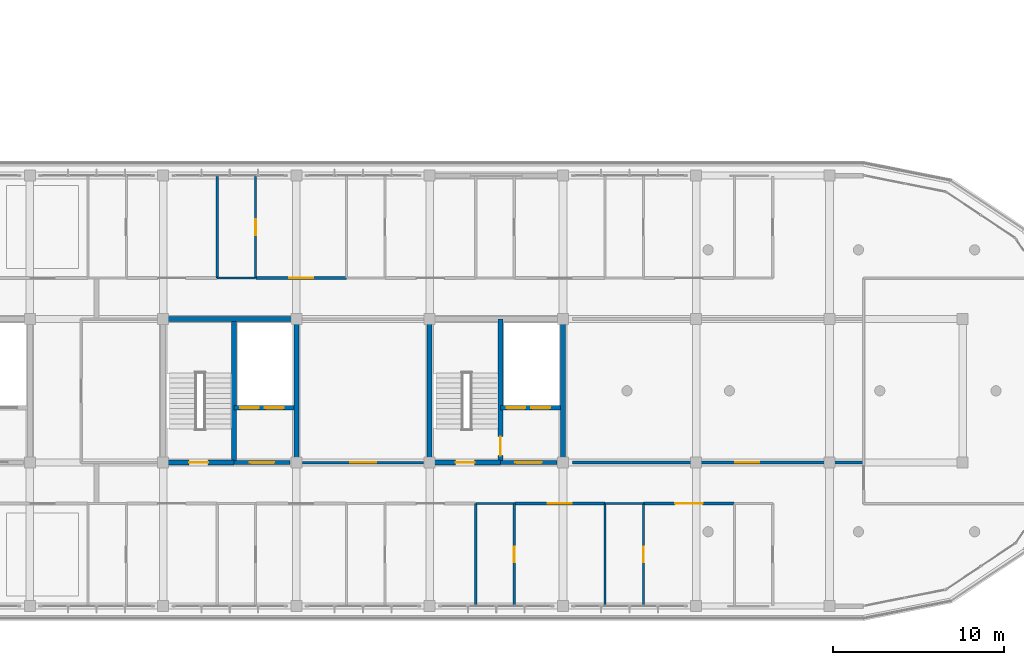
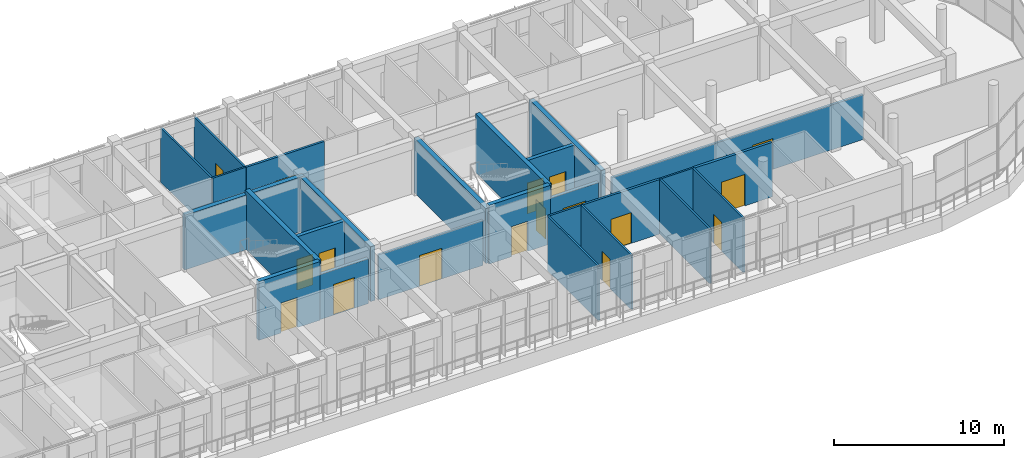
# One storey, part 53 of 63: 26 walls, 17 doors, 17 openings.
"""IFC4 building model written with IfcOpenShell, lengths in metres."""

import ifcopenshell
import ifcopenshell.guid

model = None  # the IFC model being written
_history = None  # IfcOwnerHistory: only IFC2X3 demands one
_inside = {}  # id of a spatial element -> (the spatial element, [elements in it])
_under = {}  # id of a project, library or spatial element -> (it, [spatial elements below it])
_declared = {}  # id of a project -> (the project, [libraries it declares])
_typed = {}  # id of a type object -> (the type object, [elements of that type])
_made_of = {}  # id of a material, layer set ... -> (it, [elements and type objects made of it])


def new_model(schema):
    """Start an empty IFC model of exactly this schema.

    Asked for "IFC4X3", IfcOpenShell would pick the latest addendum, in which some entities
    have other attributes; the version numbers below select the first issue.
    IFC2X3 requires an IfcOwnerHistory on every rooted entity: one is made here for all.
    """
    global model, _history
    if schema == "IFC4X3":
        model = ifcopenshell.file(schema_version=(4, 3, 0, 0))
    else:
        model = ifcopenshell.file(schema=schema)
    _inside.clear()
    _under.clear()
    _declared.clear()
    _typed.clear()
    _made_of.clear()
    _history = None
    if model.schema == "IFC2X3":
        org = make("IfcOrganization", Name="unknown")
        user = make(
            "IfcPersonAndOrganization",
            ThePerson=make("IfcPerson", FamilyName="unknown"),
            TheOrganization=org,
        )
        app = make(
            "IfcApplication",
            ApplicationDeveloper=org,
            Version="unknown",
            ApplicationFullName="unknown",
            ApplicationIdentifier="unknown",
        )
        _history = make(
            "IfcOwnerHistory",
            OwningUser=user,
            OwningApplication=app,
            ChangeAction="ADDED",
            CreationDate=0,
        )
    return model


def make(cls, **values):
    """One entity of the class cls with the attributes given. An attribute that is None is left unset."""
    return model.create_entity(
        cls, **{name: value for name, value in values.items() if value is not None}
    )


def rooted(cls, **values):
    """An entity with a GlobalId (a new one), such as an element, a storey or a relation."""
    return make(cls, GlobalId=ifcopenshell.guid.new(), OwnerHistory=_history, **values)


def si_unit(unit_type, name, prefix=None):
    """IfcSIUnit, for example si_unit("LENGTHUNIT", "METRE", prefix="MILLI")."""
    return make("IfcSIUnit", UnitType=unit_type, Prefix=prefix, Name=name)


def assignment(units):
    """IfcUnitAssignment: the units of a project."""
    return None if units is None else make("IfcUnitAssignment", Units=units)


def point(xyz):
    """IfcCartesianPoint."""
    return None if xyz is None else make("IfcCartesianPoint", Coordinates=xyz)


def direction(xyz):
    """IfcDirection."""
    return None if xyz is None else make("IfcDirection", DirectionRatios=xyz)


def frame(location, z_axis=None, x_axis=None):
    """IfcAxis2Placement3D, a coordinate frame: its origin and axes. An axis left out is left unset."""
    return make(
        "IfcAxis2Placement3D",
        Location=point(location),
        Axis=direction(z_axis),
        RefDirection=direction(x_axis),
    )


def frame_2d(location, x_axis=None):
    """IfcAxis2Placement2D, a coordinate frame in the plane: its origin and x axis."""
    return make(
        "IfcAxis2Placement2D", Location=point(location), RefDirection=direction(x_axis)
    )


def origin():
    """The frame at (0, 0, 0) with its axes left unset."""
    return frame((0.0, 0.0, 0.0))


def place(relative_to, where):
    """IfcLocalPlacement: puts the frame where relative to a parent placement (None: the world)."""
    return make(
        "IfcLocalPlacement", PlacementRelTo=relative_to, RelativePlacement=where
    )


def context(
    kind, dimensions, precision=None, world=None, true_north=None, identifier=None
):
    """IfcGeometricRepresentationContext, for example the 3D "Model" context."""
    return make(
        "IfcGeometricRepresentationContext",
        ContextIdentifier=identifier,
        ContextType=kind,
        CoordinateSpaceDimension=dimensions,
        Precision=precision,
        WorldCoordinateSystem=world,
        TrueNorth=true_north,
    )


def subcontext(parent, identifier, kind, view, scale=None):
    """IfcGeometricRepresentationSubContext, for example "Body" below "Model"."""
    return make(
        "IfcGeometricRepresentationSubContext",
        ContextIdentifier=identifier,
        ContextType=kind,
        ParentContext=parent,
        TargetScale=scale,
        TargetView=view,
    )


def project(units=None, contexts=None):
    """IfcProject with its units and contexts."""
    return rooted(
        "IfcProject",
        Name="project",
        RepresentationContexts=contexts,
        UnitsInContext=assignment(units),
    )


def spatial(cls, under=None, at=None, **own):
    """A site, building, storey or space (cls), placed at a placement, below another one or the project."""
    s = rooted(cls, ObjectPlacement=at, **own)
    if under is not None:
        _under.setdefault(under.id(), (under, []))[1].append(s)
    return s


def profile(cls, at=None, kind="AREA", **sizes):
    """A parametric profile (cls). Its sizes go by their IFC names, for example OverallWidth=200.0."""
    return make(cls, ProfileType=kind, Position=at, **sizes)


def rectangle(**sizes):
    """IfcRectangleProfileDef."""
    return profile("IfcRectangleProfileDef", **sizes)


def extrude(swept, where, along, depth):
    """IfcExtrudedAreaSolid: the profile swept, set in the frame where, extruded along a direction by depth."""
    return make(
        "IfcExtrudedAreaSolid",
        SweptArea=swept,
        Position=where,
        ExtrudedDirection=direction(along),
        Depth=depth,
    )


def shape(context_of_items, identifier, shape_type, items):
    """IfcShapeRepresentation: the items that make up one representation, for example the "Body"."""
    return make(
        "IfcShapeRepresentation",
        ContextOfItems=context_of_items,
        RepresentationIdentifier=identifier,
        RepresentationType=shape_type,
        Items=items,
    )


def material(Name=None, Category=None):
    """IfcMaterial."""
    return make("IfcMaterial", Name=Name, Category=Category)


def layer(
    of_material, thickness, ventilated=None, Name=None, Category=None, Priority=None
):
    """IfcMaterialLayer: one layer of a wall or slab, of a material (None: an air gap)."""
    return make(
        "IfcMaterialLayer",
        Material=of_material,
        LayerThickness=thickness,
        IsVentilated=ventilated,
        Name=Name,
        Category=Category,
        Priority=Priority,
    )


def layer_set(layers, Name=None):
    """IfcMaterialLayerSet."""
    return make("IfcMaterialLayerSet", MaterialLayers=layers, LayerSetName=Name)


def made_of(thing, what):
    """Note that an element or type object is made of a material, layer set ...; save() writes the relation."""
    if what is not None:
        _made_of.setdefault(what.id(), (what, []))[1].append(thing)
    return thing


def type_object(cls, material=None, **own):
    """A type object (cls), such as IfcWallType, which elements share."""
    return made_of(rooted(cls, **own), material)


def element(
    cls,
    number,
    at=None,
    inside=None,
    cuts=None,
    type_object=None,
    material=None,
    context=None,
    identifier="Body",
    shape_type=None,
    held_by="IfcProductDefinitionShape",
    body=None,
    shapes=None,
    **own,
):
    """One element of the class cls, such as IfcWall. Its Tag is "e" and its number.

    at: its placement. inside: the storey or other place that contains it. cuts: it is an
    opening in that element (IfcRelVoidsElement). A single representation is given by context,
    identifier, shape_type and body (its items); several are given by shapes. held_by: the class
    of the entity that holds the representations. save() writes the other relations.
    """
    e = rooted(cls, Tag="e%d" % number, ObjectPlacement=at, **own)
    if body is not None:
        shapes = [shape(context, identifier, shape_type, body)]
    if shapes is not None:
        e.Representation = make(held_by, Representations=shapes)
    if inside is not None:
        _inside.setdefault(inside.id(), (inside, []))[1].append(e)
    if cuts is not None:
        rooted(
            "IfcRelVoidsElement", RelatingBuildingElement=cuts, RelatedOpeningElement=e
        )
    if type_object is not None:
        _typed.setdefault(type_object.id(), (type_object, []))[1].append(e)
    return made_of(e, material)


def fill(opening, filler):
    """IfcRelFillsElement: the door or window that sits in an opening."""
    return rooted(
        "IfcRelFillsElement",
        RelatingOpeningElement=opening,
        RelatedBuildingElement=filler,
    )


def aggregate(whole, parts):
    """IfcRelAggregates: a whole, such as a stair, and the parts it consists of."""
    return rooted("IfcRelAggregates", RelatingObject=whole, RelatedObjects=parts)


def save(model, path):
    """Write the relations noted so far, then the file.

    IfcRelAggregates (storeys below a building ...), IfcRelContainedInSpatialStructure (elements
    in a storey), IfcRelDefinesByType, IfcRelAssociatesMaterial and IfcRelDeclares: one each for
    every whole, place, type object, material and project.
    """
    for whole, parts in _under.values():
        aggregate(whole, parts)
    for where, things in _inside.values():
        rooted(
            "IfcRelContainedInSpatialStructure",
            RelatedElements=things,
            RelatingStructure=where,
        )
    for kind, things in _typed.values():
        rooted("IfcRelDefinesByType", RelatedObjects=things, RelatingType=kind)
    for what, things in _made_of.values():
        rooted("IfcRelAssociatesMaterial", RelatedObjects=things, RelatingMaterial=what)
    for by, libraries in _declared.values():
        rooted("IfcRelDeclares", RelatingContext=by, RelatedDefinitions=libraries)
    model.write(path)


model = new_model("IFC4")

# Units and contexts
model_context = context("Model", 3, precision=1e-05, world=origin(), true_north=direction((0.0, 1.0)))
body_context = subcontext(model_context, "Body", "Model", "MODEL_VIEW")
ifc_project = project(units=[si_unit("LENGTHUNIT", "METRE"), si_unit("AREAUNIT", "SQUARE_METRE"), si_unit("VOLUMEUNIT", "CUBIC_METRE"), si_unit("PLANEANGLEUNIT", "RADIAN"), si_unit("MASSUNIT", "GRAM", prefix="KILO")], contexts=[model_context])

# Site, building, storey
site_placement = place(None, origin())
site = spatial("IfcSite", under=ifc_project, at=site_placement, CompositionType="ELEMENT")
building_placement = place(site_placement, origin())
building = spatial("IfcBuilding", under=site, at=building_placement, Name="Zizhar Promenade General Hospital", CompositionType="ELEMENT")
storey_placement = place(building_placement, frame((0.0, 0.0, 18.0)))
storey = spatial("IfcBuildingStorey", under=building, at=storey_placement, Name="L04", CompositionType="ELEMENT", Elevation=18.0)

# Wall, opening, door
ifc_material_1 = material(Name="Clinical consultation partition")
ifc_layer_1 = layer(ifc_material_1, 0.14501953125)
ifc_layer_set_1 = layer_set([ifc_layer_1], Name="Clinical consultation partition")
wall_type_1 = type_object("IfcWallType", Name="IW-CLN-145", PredefinedType="PARTITIONING", material=ifc_layer_set_1)
wall_1_placement = place(storey_placement, frame((86.159912109375, 8.39990234375, 0.0), z_axis=(0.0, 0.0, 1.0), x_axis=(1.0, 0.0, 0.0)))
wall_1 = element("IfcWall", 1, at=wall_1_placement, inside=storey, type_object=wall_type_1, Name="Accessible Visitor Lounge and Clean Utility L04 S Partition", PredefinedType="PARTITIONING", context=body_context, shape_type="SweptSolid", body=[
    extrude(rectangle(XDim=7.080078125, YDim=0.14501953125, at=frame_2d((3.5400390625, 0.0))), origin(), (0.0, 0.0, 1.0), 3.219970703125),
])
opening_1_placement = place(wall_1_placement, frame((2.780029296875, 0.0, 0.0)))
opening_1 = element("IfcOpeningElement", 2, at=opening_1_placement, cuts=wall_1, Name="Opening D-28", PredefinedType="OPENING", context=body_context, shape_type="SweptSolid", body=[
    extrude(rectangle(XDim=1.52001953125, YDim=2.199951171875, at=frame_2d((0.760009765625, 1.10009765625))), frame((0.0, 0.08251953125, 0.0), z_axis=(0.0, -1.0, 0.0), x_axis=(1.0, 0.0, 0.0)), (0.0, 0.0, 1.0), 0.1650390625),
])
ifc_material_2 = material(Name="Fire-rated timber glazed lounge pair", Category="wood")
door_type_1 = type_object("IfcDoorType", Name="DR-LOUNGE-152x220", OperationType="DOUBLE_DOOR_SINGLE_SWING", PredefinedType="DOOR", material=ifc_material_2)
door_1_placement = place(opening_1_placement, origin())
door_1 = element("IfcDoor", 3, at=door_1_placement, inside=storey, type_object=door_type_1, Name="Accessible Visitor Lounge and Clean Utility L04 Door", OperationType="DOUBLE_DOOR_SINGLE_SWING", OverallHeight=2.199951171875, OverallWidth=1.52001953125, PredefinedType="DOOR", context=body_context, shape_type="SweptSolid", body=[
    extrude(rectangle(XDim=1.52001953125, YDim=2.199951171875, at=frame_2d((0.760009765625, 1.10009765625))), frame((0.0, 0.02490234375, 0.0), z_axis=(0.0, -1.0, 0.0), x_axis=(1.0, 0.0, 0.0)), (0.0, 0.0, 1.0), 0.050048828125),
])
fill(opening_1, door_1)

ifc_material_3 = material(Name="Acoustic double-stud clinical partition")
ifc_layer_2 = layer(ifc_material_3, 0.179931640625)
ifc_layer_set_2 = layer_set([ifc_layer_2], Name="Acoustic double-stud clinical partition")
wall_type_2 = type_object("IfcWallType", Name="IW-ICU-180", PredefinedType="PARTITIONING", material=ifc_layer_set_2)
wall_2_placement = place(storey_placement, frame((106.126953125, 6.0, 0.0), z_axis=(0.0, 0.0, 1.0), x_axis=(1.0, 0.0, 0.0)))
wall_2 = element("IfcWall", 4, at=wall_2_placement, inside=storey, type_object=wall_type_2, Name="Intensive Care Step-Down L04-S11 N Partition", PredefinedType="PARTITIONING", context=body_context, shape_type="SweptSolid", body=[
    extrude(rectangle(XDim=5.296142578125, YDim=0.179931640625, at=frame_2d((2.64794921875, 0.0))), origin(), (0.0, 0.0, 1.0), 3.89990234375),
])
opening_2_placement = place(wall_2_placement, frame((1.847900390625, 0.0, 0.0)))
opening_2 = element("IfcOpeningElement", 5, at=opening_2_placement, cuts=wall_2, Name="Opening D-05", PredefinedType="OPENING", context=body_context, shape_type="SweptSolid", body=[
    extrude(rectangle(XDim=1.60009765625, YDim=2.25, at=frame_2d((0.800048828125, 1.125))), frame((0.0, 0.10009765625, 0.0), z_axis=(0.0, -1.0, 0.0), x_axis=(1.0, 0.0, 0.0)), (0.0, 0.0, 1.0), 0.199951171875),
])
ifc_material_4 = material(Name="Anodised aluminium and clinical glass", Category="aluminium")
door_type_2 = type_object("IfcDoorType", Name="DR-ICU-GLZ-160x225", OperationType="SLIDING_TO_RIGHT", PredefinedType="DOOR", material=ifc_material_4)
door_2_placement = place(opening_2_placement, origin())
door_2 = element("IfcDoor", 6, at=door_2_placement, inside=storey, type_object=door_type_2, Name="Intensive Care Step-Down L04-S11 Door", OperationType="SLIDING_TO_RIGHT", OverallHeight=2.25, OverallWidth=1.60009765625, PredefinedType="DOOR", context=body_context, shape_type="SweptSolid", body=[
    extrude(rectangle(XDim=1.60009765625, YDim=2.25, at=frame_2d((0.800048828125, 1.125))), frame((0.0, 0.02490234375, 0.0), z_axis=(0.0, -1.0, 0.0), x_axis=(1.0, 0.0, 0.0)), (0.0, 0.0, 1.0), 0.050048828125),
])
fill(opening_2, door_2)

ifc_material_5 = material(Name="Concrete C35/45", Category="concrete")
ifc_layer_3 = layer(ifc_material_5, 0.215087890625)
ifc_layer_set_3 = layer_set([ifc_layer_3], Name="Concrete C35/45")
wall_type_3 = type_object("IfcWallType", Name="IW-LOBBY-215", PredefinedType="STANDARD", material=ifc_layer_set_3)
wall_3_placement = place(storey_placement, frame((82.14990234375, 8.39990234375, 0.0), z_axis=(0.0, 0.0, 1.0), x_axis=(1.0, 0.0, 0.0)))
wall_3 = element("IfcWall", 7, at=wall_3_placement, inside=storey, type_object=wall_type_3, Name="Core C4 Lift Lobby South Fire Wall (L04)", PredefinedType="STANDARD", context=body_context, shape_type="SweptSolid", body=[
    extrude(rectangle(XDim=3.2900390625, YDim=0.215087890625, at=frame_2d((1.64501953125, 0.0))), origin(), (0.0, 0.0, 1.0), 3.219970703125),
])
opening_3_placement = place(wall_3_placement, frame((0.925048828125, 0.0, 0.0)))
opening_3 = element("IfcOpeningElement", 8, at=opening_3_placement, cuts=wall_3, Name="Opening D-23", PredefinedType="OPENING", context=body_context, shape_type="SweptSolid", body=[
    extrude(rectangle(XDim=1.43994140625, YDim=2.199951171875, at=frame_2d((0.719970703125, 1.10009765625))), frame((0.0, 0.11767578125, 0.0), z_axis=(0.0, -1.0, 0.0), x_axis=(1.0, 0.0, 0.0)), (0.0, 0.0, 1.0), 0.235107421875),
])
ifc_material_6 = material(Name="Fire-rated timber lift lobby pair", Category="wood")
door_type_3 = type_object("IfcDoorType", Name="DR-LOBBY-PR-144x220", OperationType="DOUBLE_DOOR_SINGLE_SWING", PredefinedType="DOOR", material=ifc_material_6)
door_3_placement = place(opening_3_placement, origin())
door_3 = element("IfcDoor", 9, at=door_3_placement, inside=storey, type_object=door_type_3, Name="Core C4 Protected Lift Lobby Door (L04)", OperationType="DOUBLE_DOOR_SINGLE_SWING", OverallHeight=2.199951171875, OverallWidth=1.43994140625, PredefinedType="DOOR", context=body_context, shape_type="SweptSolid", body=[
    extrude(rectangle(XDim=1.43994140625, YDim=2.199951171875, at=frame_2d((0.719970703125, 1.10009765625))), frame((0.0, 0.02490234375, 0.0), z_axis=(0.0, -1.0, 0.0), x_axis=(1.0, 0.0, 0.0)), (0.0, 0.0, 1.0), 0.050048828125),
])
fill(opening_3, door_3)

wall_4_placement = place(storey_placement, frame((97.75, 8.39990234375, 0.0), z_axis=(0.0, 0.0, 1.0), x_axis=(1.0, 0.0, 0.0)))
wall_4 = element("IfcWall", 10, at=wall_4_placement, inside=storey, type_object=wall_type_3, Name="Core C5 Lift Lobby South Fire Wall (L04)", PredefinedType="STANDARD", context=body_context, shape_type="SweptSolid", body=[
    extrude(rectangle(XDim=3.2900390625, YDim=0.215087890625, at=frame_2d((1.64501953125, 0.0))), origin(), (0.0, 0.0, 1.0), 3.219970703125),
])
opening_4_placement = place(wall_4_placement, frame((0.864990234375, 0.0, 0.0)))
opening_4 = element("IfcOpeningElement", 11, at=opening_4_placement, cuts=wall_4, Name="Opening D-22", PredefinedType="OPENING", context=body_context, shape_type="SweptSolid", body=[
    extrude(rectangle(XDim=1.56005859375, YDim=2.199951171875, at=frame_2d((0.780029296875, 1.10009765625))), frame((0.0, 0.11767578125, 0.0), z_axis=(0.0, -1.0, 0.0), x_axis=(1.0, 0.0, 0.0)), (0.0, 0.0, 1.0), 0.235107421875),
])
ifc_material_7 = material(Name="Steel S355 firefighting lobby pair", Category="steel")
door_type_4 = type_object("IfcDoorType", Name="DR-LOBBY-FF-156x220", OperationType="DOUBLE_DOOR_SINGLE_SWING", PredefinedType="DOOR", material=ifc_material_7)
door_4_placement = place(opening_4_placement, origin())
door_4 = element("IfcDoor", 12, at=door_4_placement, inside=storey, type_object=door_type_4, Name="Core C5 Firefighting Lift Lobby Door (L04)", OperationType="DOUBLE_DOOR_SINGLE_SWING", OverallHeight=2.199951171875, OverallWidth=1.56005859375, PredefinedType="DOOR", context=body_context, shape_type="SweptSolid", body=[
    extrude(rectangle(XDim=1.56005859375, YDim=2.199951171875, at=frame_2d((0.780029296875, 1.10009765625))), frame((0.0, 0.02490234375, 0.0), z_axis=(0.0, -1.0, 0.0), x_axis=(1.0, 0.0, 0.0)), (0.0, 0.0, 1.0), 0.050048828125),
])
fill(opening_4, door_4)

# Wall, openings, doors
ifc_material_8 = material(Name="Concrete C35/45", Category="concrete")
ifc_layer_4 = layer(ifc_material_8, 0.25)
ifc_layer_set_4 = layer_set([ifc_layer_4], Name="Concrete C35/45")
wall_type_4 = type_object("IfcWallType", Name="IW-SHAFT-250", PredefinedType="STANDARD", material=ifc_layer_set_4)
wall_5_placement = place(storey_placement, frame((82.14990234375, 11.60009765625, 0.0), z_axis=(0.0, 0.0, 1.0), x_axis=(1.0, 0.0, 0.0)))
wall_5 = element("IfcWall", 13, at=wall_5_placement, inside=storey, type_object=wall_type_4, Name="Core C4 Lift Shaft Landing Wall (L04)", PredefinedType="STANDARD", context=body_context, shape_type="SweptSolid", body=[
    extrude(rectangle(XDim=3.5, YDim=0.25, at=frame_2d((1.75, 0.0))), origin(), (0.0, 0.0, 1.0), 3.89990234375),
])
opening_5_placement = place(wall_5_placement, frame((0.35009765625, 0.0, 0.0)))
opening_5 = element("IfcOpeningElement", 14, at=opening_5_placement, cuts=wall_5, Name="Opening LD-11", PredefinedType="OPENING", context=body_context, shape_type="SweptSolid", body=[
    extrude(rectangle(XDim=1.10009765625, YDim=2.199951171875, at=frame_2d((0.550048828125, 1.10009765625))), frame((0.0, 0.135009765625, 0.0), z_axis=(0.0, -1.0, 0.0), x_axis=(1.0, 0.0, 0.0)), (0.0, 0.0, 1.0), 0.27001953125),
])
opening_6_placement = place(wall_5_placement, frame((1.800048828125, 0.0, 0.0)))
opening_6 = element("IfcOpeningElement", 15, at=opening_6_placement, cuts=wall_5, Name="Opening LD-11", PredefinedType="OPENING", context=body_context, shape_type="SweptSolid", body=[
    extrude(rectangle(XDim=1.10009765625, YDim=2.199951171875, at=frame_2d((0.550048828125, 1.10009765625))), frame((0.0, 0.135009765625, 0.0), z_axis=(0.0, -1.0, 0.0), x_axis=(1.0, 0.0, 0.0)), (0.0, 0.0, 1.0), 0.27001953125),
])
ifc_material_9 = material(Name="Stainless Steel S355 passenger lift landing door", Category="steel")
door_type_5 = type_object("IfcDoorType", Name="DR-LIFT-LD11", OperationType="SLIDING_TO_LEFT", PredefinedType="DOOR", material=ifc_material_9)
door_5_placement = place(opening_5_placement, origin())
door_5 = element("IfcDoor", 16, at=door_5_placement, inside=storey, type_object=door_type_5, Name="Lift LB-03 Sliding Landing Door (L04)", OperationType="SLIDING_TO_LEFT", OverallHeight=2.199951171875, OverallWidth=1.10009765625, PredefinedType="DOOR", context=body_context, shape_type="SweptSolid", body=[
    extrude(rectangle(XDim=1.10009765625, YDim=2.199951171875, at=frame_2d((0.550048828125, 1.10009765625))), frame((0.0, 0.02490234375, 0.0), z_axis=(0.0, -1.0, 0.0), x_axis=(1.0, 0.0, 0.0)), (0.0, 0.0, 1.0), 0.050048828125),
])
fill(opening_5, door_5)
door_6_placement = place(opening_6_placement, origin())
door_6 = element("IfcDoor", 17, at=door_6_placement, inside=storey, type_object=door_type_5, Name="Lift LP-03 Sliding Landing Door (L04)", OperationType="SLIDING_TO_LEFT", OverallHeight=2.199951171875, OverallWidth=1.10009765625, PredefinedType="DOOR", context=body_context, shape_type="SweptSolid", body=[
    extrude(rectangle(XDim=1.10009765625, YDim=2.199951171875, at=frame_2d((0.550048828125, 1.10009765625))), frame((0.0, 0.02490234375, 0.0), z_axis=(0.0, -1.0, 0.0), x_axis=(1.0, 0.0, 0.0)), (0.0, 0.0, 1.0), 0.050048828125),
])
fill(opening_6, door_6)

wall_6_placement = place(storey_placement, frame((97.75, 11.60009765625, 0.0), z_axis=(0.0, 0.0, 1.0), x_axis=(1.0, 0.0, 0.0)))
wall_6 = element("IfcWall", 18, at=wall_6_placement, inside=storey, type_object=wall_type_4, Name="Core C5 Lift Shaft Landing Wall (L04)", PredefinedType="STANDARD", context=body_context, shape_type="SweptSolid", body=[
    extrude(rectangle(XDim=3.5, YDim=0.25, at=frame_2d((1.75, 0.0))), origin(), (0.0, 0.0, 1.0), 3.89990234375),
])
opening_7_placement = place(wall_6_placement, frame((0.35009765625, 0.0, 0.0)))
opening_7 = element("IfcOpeningElement", 19, at=opening_7_placement, cuts=wall_6, Name="Opening LD-11", PredefinedType="OPENING", context=body_context, shape_type="SweptSolid", body=[
    extrude(rectangle(XDim=1.10009765625, YDim=2.199951171875, at=frame_2d((0.550048828125, 1.10009765625))), frame((0.0, 0.135009765625, 0.0), z_axis=(0.0, -1.0, 0.0), x_axis=(1.0, 0.0, 0.0)), (0.0, 0.0, 1.0), 0.27001953125),
])
opening_8_placement = place(wall_6_placement, frame((1.800048828125, 0.0, 0.0)))
opening_8 = element("IfcOpeningElement", 20, at=opening_8_placement, cuts=wall_6, Name="Opening LD-11", PredefinedType="OPENING", context=body_context, shape_type="SweptSolid", body=[
    extrude(rectangle(XDim=1.10009765625, YDim=2.199951171875, at=frame_2d((0.550048828125, 1.10009765625))), frame((0.0, 0.135009765625, 0.0), z_axis=(0.0, -1.0, 0.0), x_axis=(1.0, 0.0, 0.0)), (0.0, 0.0, 1.0), 0.27001953125),
])
door_7_placement = place(opening_7_placement, origin())
door_7 = element("IfcDoor", 21, at=door_7_placement, inside=storey, type_object=door_type_5, Name="Lift LF-02 Sliding Landing Door (L04)", OperationType="SLIDING_TO_LEFT", OverallHeight=2.199951171875, OverallWidth=1.10009765625, PredefinedType="DOOR", context=body_context, shape_type="SweptSolid", body=[
    extrude(rectangle(XDim=1.10009765625, YDim=2.199951171875, at=frame_2d((0.550048828125, 1.10009765625))), frame((0.0, 0.02490234375, 0.0), z_axis=(0.0, -1.0, 0.0), x_axis=(1.0, 0.0, 0.0)), (0.0, 0.0, 1.0), 0.050048828125),
])
fill(opening_7, door_7)
door_8_placement = place(opening_8_placement, origin())
door_8 = element("IfcDoor", 22, at=door_8_placement, inside=storey, type_object=door_type_5, Name="Lift LB-04 Sliding Landing Door (L04)", OperationType="SLIDING_TO_LEFT", OverallHeight=2.199951171875, OverallWidth=1.10009765625, PredefinedType="DOOR", context=body_context, shape_type="SweptSolid", body=[
    extrude(rectangle(XDim=1.10009765625, YDim=2.199951171875, at=frame_2d((0.550048828125, 1.10009765625))), frame((0.0, 0.02490234375, 0.0), z_axis=(0.0, -1.0, 0.0), x_axis=(1.0, 0.0, 0.0)), (0.0, 0.0, 1.0), 0.050048828125),
])
fill(opening_8, door_8)

# Wall, opening, door
ifc_material_10 = material(Name="Acoustic patient bedroom partition")
ifc_layer_5 = layer(ifc_material_10, 0.155029296875)
ifc_layer_set_5 = layer_set([ifc_layer_5], Name="Acoustic patient bedroom partition")
wall_type_5 = type_object("IfcWallType", Name="IW-WARD-155", PredefinedType="PARTITIONING", material=ifc_layer_set_5)
wall_7_placement = place(storey_placement, frame((83.427001953125, 19.199951171875, 0.0), z_axis=(0.0, 0.0, 1.0), x_axis=(1.0, 0.0, 0.0)))
wall_7 = element("IfcWall", 23, at=wall_7_placement, inside=storey, type_object=wall_type_5, Name="Acute Medical Inpatient Ward L04-N08 S Partition", PredefinedType="PARTITIONING", context=body_context, shape_type="SweptSolid", body=[
    extrude(rectangle(XDim=5.2958984375, YDim=0.155029296875, at=frame_2d((2.64794921875, 0.0))), origin(), (0.0, 0.0, 1.0), 3.89990234375),
])
opening_9_placement = place(wall_7_placement, frame((1.947998046875, 0.0, 0.0)))
opening_9 = element("IfcOpeningElement", 24, at=opening_9_placement, cuts=wall_7, Name="Opening D-06", PredefinedType="OPENING", context=body_context, shape_type="SweptSolid", body=[
    extrude(rectangle(XDim=1.39990234375, YDim=2.199951171875, at=frame_2d((0.699951171875, 1.10009765625))), frame((0.0, 0.08740234375, 0.0), z_axis=(0.0, -1.0, 0.0), x_axis=(1.0, 0.0, 0.0)), (0.0, 0.0, 1.0), 0.175048828125),
])
ifc_material_11 = material(Name="Fire-rated timber hospital bed leaf", Category="wood")
door_type_6 = type_object("IfcDoorType", Name="DR-BED-WARD-140x220", OperationType="NOTDEFINED", PredefinedType="DOOR", material=ifc_material_11)
door_9_placement = place(opening_9_placement, origin())
door_9 = element("IfcDoor", 25, at=door_9_placement, inside=storey, type_object=door_type_6, Name="Acute Medical Inpatient Ward L04-N08 Door", OperationType="SINGLE_SWING_LEFT", OverallHeight=2.199951171875, OverallWidth=1.39990234375, PredefinedType="DOOR", context=body_context, shape_type="SweptSolid", body=[
    extrude(rectangle(XDim=1.39990234375, YDim=2.199951171875, at=frame_2d((0.699951171875, 1.10009765625))), frame((0.0, 0.02490234375, 0.0), z_axis=(0.0, -1.0, 0.0), x_axis=(1.0, 0.0, 0.0)), (0.0, 0.0, 1.0), 0.050048828125),
])
fill(opening_9, door_9)

wall_8_placement = place(storey_placement, frame((98.56005859375, 6.0, 0.0), z_axis=(0.0, 0.0, 1.0), x_axis=(1.0, 0.0, 0.0)))
wall_8 = element("IfcWall", 26, at=wall_8_placement, inside=storey, type_object=wall_type_5, Name="Acute Medical Inpatient Ward L04-S10 N Partition", PredefinedType="PARTITIONING", context=body_context, shape_type="SweptSolid", body=[
    extrude(rectangle(XDim=5.296875, YDim=0.155029296875, at=frame_2d((2.6484375, 0.0))), origin(), (0.0, 0.0, 1.0), 3.89990234375),
])
opening_10_placement = place(wall_8_placement, frame((1.948486328125, 0.0, 0.0)))
opening_10 = element("IfcOpeningElement", 27, at=opening_10_placement, cuts=wall_8, Name="Opening D-06", PredefinedType="OPENING", context=body_context, shape_type="SweptSolid", body=[
    extrude(rectangle(XDim=1.39990234375, YDim=2.199951171875, at=frame_2d((0.699951171875, 1.10009765625))), frame((0.0, 0.08740234375, 0.0), z_axis=(0.0, -1.0, 0.0), x_axis=(1.0, 0.0, 0.0)), (0.0, 0.0, 1.0), 0.175048828125),
])
door_10_placement = place(opening_10_placement, origin())
door_10 = element("IfcDoor", 28, at=door_10_placement, inside=storey, type_object=door_type_6, Name="Acute Medical Inpatient Ward L04-S10 Door", OperationType="SINGLE_SWING_RIGHT", OverallHeight=2.199951171875, OverallWidth=1.39990234375, PredefinedType="DOOR", context=body_context, shape_type="SweptSolid", body=[
    extrude(rectangle(XDim=1.39990234375, YDim=2.199951171875, at=frame_2d((0.699951171875, 1.10009765625))), frame((0.0, 0.02490234375, 0.0), z_axis=(0.0, -1.0, 0.0), x_axis=(1.0, 0.0, 0.0)), (0.0, 0.0, 1.0), 0.050048828125),
])
fill(opening_10, door_10)

wall_9_placement = place(storey_placement, frame((101.9599609375, 8.39990234375, 0.0), z_axis=(0.0, 0.0, 1.0), x_axis=(1.0, 0.0, 0.0)))
wall_9 = element("IfcWall", 29, at=wall_9_placement, inside=storey, type_object=wall_type_5, Name="Ward Doctor Consultation Office L04 S Partition", PredefinedType="PARTITIONING", context=body_context, shape_type="SweptSolid", body=[
    extrude(rectangle(XDim=17.030029296875, YDim=0.155029296875, at=frame_2d((8.51513671875, 0.0))), origin(), (0.0, 0.0, 1.0), 3.219970703125),
])
opening_11_placement = place(wall_9_placement, frame((9.51806640625, 0.0, 0.0)))
opening_11 = element("IfcOpeningElement", 30, at=opening_11_placement, cuts=wall_9, Name="Opening D-06", PredefinedType="OPENING", context=body_context, shape_type="SweptSolid", body=[
    extrude(rectangle(XDim=1.39990234375, YDim=2.199951171875, at=frame_2d((0.699951171875, 1.10009765625))), frame((0.0, 0.08740234375, 0.0), z_axis=(0.0, -1.0, 0.0), x_axis=(1.0, 0.0, 0.0)), (0.0, 0.0, 1.0), 0.175048828125),
])
door_11_placement = place(opening_11_placement, origin())
door_11 = element("IfcDoor", 31, at=door_11_placement, inside=storey, type_object=door_type_6, Name="Ward Doctor Consultation Office L04 Door", OperationType="SINGLE_SWING_LEFT", OverallHeight=2.199951171875, OverallWidth=1.39990234375, PredefinedType="DOOR", context=body_context, shape_type="SweptSolid", body=[
    extrude(rectangle(XDim=1.39990234375, YDim=2.199951171875, at=frame_2d((0.699951171875, 1.10009765625))), frame((0.0, 0.02490234375, 0.0), z_axis=(0.0, -1.0, 0.0), x_axis=(1.0, 0.0, 0.0)), (0.0, 0.0, 1.0), 0.050048828125),
])
fill(opening_11, door_11)

# Walls
ifc_material_12 = material(Name="Moisture-resistant en-suite wet partition")
ifc_layer_6 = layer(ifc_material_12, 0.125)
ifc_layer_set_6 = layer_set([ifc_layer_6], Name="Moisture-resistant en-suite wet partition")
wall_type_6 = type_object("IfcWallType", Name="IW-WET-125", PredefinedType="PARTITIONING", material=ifc_layer_set_6)
wall_10_placement = place(storey_placement, frame((81.166748046875, 19.199951171875, 0.0), z_axis=(0.0, 0.0, 1.0), x_axis=(1.0, 0.0, 0.0)))
element("IfcWall", 32, at=wall_10_placement, inside=storey, type_object=wall_type_6, Name="En-Suite Patient Bathroom L04-N08 S Partition", PredefinedType="PARTITIONING", context=body_context, shape_type="SweptSolid", body=[
    extrude(rectangle(XDim=2.25, YDim=0.125, at=frame_2d((1.125, 0.0))), origin(), (0.0, 0.0, 1.0), 3.89990234375),
])
wall_11_placement = place(storey_placement, frame((81.166748046875, 19.199951171875, 0.0), z_axis=(0.0, 0.0, 1.0), x_axis=(0.0, 1.0, 0.0)))
element("IfcWall", 33, at=wall_11_placement, inside=storey, type_object=wall_type_6, Name="En-Suite Patient Bathroom L04-N08 W Partition", PredefinedType="PARTITIONING", context=body_context, shape_type="SweptSolid", body=[
    extrude(rectangle(XDim=5.955078125, YDim=0.125, at=frame_2d((2.9775390625, 0.0))), origin(), (0.0, 0.0, 1.0), 3.89990234375),
])

# Wall, opening, door
wall_12_placement = place(storey_placement, frame((83.416748046875, 19.199951171875, 0.0), z_axis=(0.0, 0.0, 1.0), x_axis=(0.0, 1.0, 0.0)))
wall_12 = element("IfcWall", 34, at=wall_12_placement, inside=storey, type_object=wall_type_6, Name="En-Suite Patient Bathroom L04-N08 E Partition", PredefinedType="PARTITIONING", context=body_context, shape_type="SweptSolid", body=[
    extrude(rectangle(XDim=5.955078125, YDim=0.125, at=frame_2d((2.9775390625, 0.0))), origin(), (0.0, 0.0, 1.0), 3.89990234375),
])
opening_12_placement = place(wall_12_placement, frame((2.517578125, 0.0, 0.0)))
opening_12 = element("IfcOpeningElement", 35, at=opening_12_placement, cuts=wall_12, Name="Opening D-18", PredefinedType="OPENING", context=body_context, shape_type="SweptSolid", body=[
    extrude(rectangle(XDim=0.919921875, YDim=2.10009765625, at=frame_2d((0.4599609375, 1.050048828125))), frame((0.0, 0.072509765625, 0.0), z_axis=(0.0, -1.0, 0.0), x_axis=(1.0, 0.0, 0.0)), (0.0, 0.0, 1.0), 0.14501953125),
])
ifc_material_13 = material(Name="Moisture-resistant timber en-suite leaf", Category="wood")
door_type_7 = type_object("IfcDoorType", Name="DR-ENS-STD-092x210", OperationType="NOTDEFINED", PredefinedType="DOOR", material=ifc_material_13)
door_12_placement = place(opening_12_placement, origin())
door_12 = element("IfcDoor", 36, at=door_12_placement, inside=storey, type_object=door_type_7, Name="En-Suite Patient Bathroom L04-N08 Door", OperationType="SINGLE_SWING_LEFT", OverallHeight=2.10009765625, OverallWidth=0.919921875, PredefinedType="DOOR", context=body_context, shape_type="SweptSolid", body=[
    extrude(rectangle(XDim=0.919921875, YDim=2.10009765625, at=frame_2d((0.4599609375, 1.050048828125))), frame((0.0, 0.02490234375, 0.0), z_axis=(0.0, -1.0, 0.0), x_axis=(1.0, 0.0, 0.0)), (0.0, 0.0, 1.0), 0.050048828125),
])
fill(opening_12, door_12)

# Walls
wall_13_placement = place(storey_placement, frame((96.300048828125, 6.0, 0.0), z_axis=(0.0, 0.0, 1.0), x_axis=(1.0, 0.0, 0.0)))
element("IfcWall", 37, at=wall_13_placement, inside=storey, type_object=wall_type_6, Name="En-Suite Patient Bathroom L04-S10 N Partition", PredefinedType="PARTITIONING", context=body_context, shape_type="SweptSolid", body=[
    extrude(rectangle(XDim=2.25, YDim=0.125, at=frame_2d((1.125, 0.0))), origin(), (0.0, 0.0, 1.0), 3.89990234375),
])
wall_14_placement = place(storey_placement, frame((96.300048828125, 0.044921875, 0.0), z_axis=(0.0, 0.0, 1.0), x_axis=(0.0, 1.0, 0.0)))
element("IfcWall", 38, at=wall_14_placement, inside=storey, type_object=wall_type_6, Name="En-Suite Patient Bathroom L04-S10 W Partition", PredefinedType="PARTITIONING", context=body_context, shape_type="SweptSolid", body=[
    extrude(rectangle(XDim=5.955078125, YDim=0.125, at=frame_2d((2.9775390625, 0.0))), origin(), (0.0, 0.0, 1.0), 3.89990234375),
])

# Wall, opening, door
wall_15_placement = place(storey_placement, frame((98.550048828125, 0.044921875, 0.0), z_axis=(0.0, 0.0, 1.0), x_axis=(0.0, 1.0, 0.0)))
wall_15 = element("IfcWall", 39, at=wall_15_placement, inside=storey, type_object=wall_type_6, Name="En-Suite Patient Bathroom L04-S10 E Partition", PredefinedType="PARTITIONING", context=body_context, shape_type="SweptSolid", body=[
    extrude(rectangle(XDim=5.955078125, YDim=0.125, at=frame_2d((2.9775390625, 0.0))), origin(), (0.0, 0.0, 1.0), 3.89990234375),
])
opening_13_placement = place(wall_15_placement, frame((2.517578125, 0.0, 0.0)))
opening_13 = element("IfcOpeningElement", 40, at=opening_13_placement, cuts=wall_15, Name="Opening D-18", PredefinedType="OPENING", context=body_context, shape_type="SweptSolid", body=[
    extrude(rectangle(XDim=0.919921875, YDim=2.10009765625, at=frame_2d((0.4599609375, 1.050048828125))), frame((0.0, 0.072509765625, 0.0), z_axis=(0.0, -1.0, 0.0), x_axis=(1.0, 0.0, 0.0)), (0.0, 0.0, 1.0), 0.14501953125),
])
door_13_placement = place(opening_13_placement, origin())
door_13 = element("IfcDoor", 41, at=door_13_placement, inside=storey, type_object=door_type_7, Name="En-Suite Patient Bathroom L04-S10 Door", OperationType="SINGLE_SWING_RIGHT", OverallHeight=2.10009765625, OverallWidth=0.919921875, PredefinedType="DOOR", context=body_context, shape_type="SweptSolid", body=[
    extrude(rectangle(XDim=0.919921875, YDim=2.10009765625, at=frame_2d((0.4599609375, 1.050048828125))), frame((0.0, 0.02490234375, 0.0), z_axis=(0.0, -1.0, 0.0), x_axis=(1.0, 0.0, 0.0)), (0.0, 0.0, 1.0), 0.050048828125),
])
fill(opening_13, door_13)

# Walls
wall_16_placement = place(storey_placement, frame((103.86669921875, 6.0, 0.0), z_axis=(0.0, 0.0, 1.0), x_axis=(1.0, 0.0, 0.0)))
element("IfcWall", 42, at=wall_16_placement, inside=storey, type_object=wall_type_6, Name="En-Suite Patient Bathroom L04-S11 N Partition", PredefinedType="PARTITIONING", context=body_context, shape_type="SweptSolid", body=[
    extrude(rectangle(XDim=2.25, YDim=0.125, at=frame_2d((1.125, 0.0))), origin(), (0.0, 0.0, 1.0), 3.89990234375),
])
wall_17_placement = place(storey_placement, frame((103.86669921875, 0.044921875, 0.0), z_axis=(0.0, 0.0, 1.0), x_axis=(0.0, 1.0, 0.0)))
element("IfcWall", 43, at=wall_17_placement, inside=storey, type_object=wall_type_6, Name="En-Suite Patient Bathroom L04-S11 W Partition", PredefinedType="PARTITIONING", context=body_context, shape_type="SweptSolid", body=[
    extrude(rectangle(XDim=5.955078125, YDim=0.125, at=frame_2d((2.9775390625, 0.0))), origin(), (0.0, 0.0, 1.0), 3.89990234375),
])

# Wall, opening, door
wall_18_placement = place(storey_placement, frame((106.11669921875, 0.044921875, 0.0), z_axis=(0.0, 0.0, 1.0), x_axis=(0.0, 1.0, 0.0)))
wall_18 = element("IfcWall", 44, at=wall_18_placement, inside=storey, type_object=wall_type_6, Name="En-Suite Patient Bathroom L04-S11 E Partition", PredefinedType="PARTITIONING", context=body_context, shape_type="SweptSolid", body=[
    extrude(rectangle(XDim=5.955078125, YDim=0.125, at=frame_2d((2.9775390625, 0.0))), origin(), (0.0, 0.0, 1.0), 3.89990234375),
])
opening_14_placement = place(wall_18_placement, frame((2.517578125, 0.0, 0.0)))
opening_14 = element("IfcOpeningElement", 45, at=opening_14_placement, cuts=wall_18, Name="Opening D-18", PredefinedType="OPENING", context=body_context, shape_type="SweptSolid", body=[
    extrude(rectangle(XDim=0.919921875, YDim=2.10009765625, at=frame_2d((0.4599609375, 1.050048828125))), frame((0.0, 0.072509765625, 0.0), z_axis=(0.0, -1.0, 0.0), x_axis=(1.0, 0.0, 0.0)), (0.0, 0.0, 1.0), 0.14501953125),
])
door_14_placement = place(opening_14_placement, origin())
door_14 = element("IfcDoor", 46, at=door_14_placement, inside=storey, type_object=door_type_7, Name="En-Suite Patient Bathroom L04-S11 Door", OperationType="SINGLE_SWING_RIGHT", OverallHeight=2.10009765625, OverallWidth=0.919921875, PredefinedType="DOOR", context=body_context, shape_type="SweptSolid", body=[
    extrude(rectangle(XDim=0.919921875, YDim=2.10009765625, at=frame_2d((0.4599609375, 1.050048828125))), frame((0.0, 0.02490234375, 0.0), z_axis=(0.0, -1.0, 0.0), x_axis=(1.0, 0.0, 0.0)), (0.0, 0.0, 1.0), 0.050048828125),
])
fill(opening_14, door_14)

# Walls
ifc_material_14 = material(Name="Concrete C40/50", Category="concrete")
ifc_layer_7 = layer(ifc_material_14, 0.300048828125)
ifc_layer_set_7 = layer_set([ifc_layer_7], Name="Concrete C40/50")
wall_type_7 = type_object("IfcWallType", Name="WL-CORE-300", PredefinedType="SHEAR", material=ifc_layer_set_7)
wall_19_placement = place(storey_placement, frame((77.85009765625, 16.800048828125, 0.0), z_axis=(0.0, 0.0, 1.0), x_axis=(1.0, 0.0, 0.0)))
element("IfcWall", 47, at=wall_19_placement, inside=storey, type_object=wall_type_7, Name="Core C4 North Shear Wall L04", PredefinedType="SHEAR", context=body_context, shape_type="SweptSolid", body=[
    extrude(rectangle(XDim=8.099853515625, YDim=0.300048828125, at=frame_2d((4.0498046875, 0.0))), origin(), (0.0, 0.0, 1.0), 3.919921875),
])
for number, where, z_axis, x_axis, name in (
    (48, (85.800048828125, 8.39990234375, 0.0), (0.0, 0.0, 1.0), (0.0, 1.0, 0.0), "Core C4 East Shear Wall L04"),
    (49, (93.60009765625, 8.39990234375, 0.0), (0.0, 0.0, 1.0), (0.0, 1.0, 0.0), "Core C5 West Shear Wall L04"),
    (50, (101.39990234375, 8.39990234375, 0.0), (0.0, 0.0, 1.0), (0.0, 1.0, 0.0), "Core C5 East Shear Wall L04"),
):
    element("IfcWall", number, at=place(storey_placement, frame(where, z_axis=z_axis, x_axis=x_axis)), inside=storey, type_object=wall_type_7, Name=name, PredefinedType="SHEAR", context=body_context, shape_type="SweptSolid", body=[
        extrude(rectangle(XDim=8.400146484375, YDim=0.300048828125, at=frame_2d((4.2001953125, 0.0))), origin(), (0.0, 0.0, 1.0), 3.919921875),
    ])

# Wall, opening, door
wall_20_placement = place(storey_placement, frame((78.0, 8.39990234375, 0.0), z_axis=(0.0, 0.0, 1.0), x_axis=(1.0, 0.0, 0.0)))
wall_20 = element("IfcWall", 51, at=wall_20_placement, inside=storey, type_object=wall_type_7, Name="Core C4 Stair South Fire Wall (L04)", PredefinedType="SHEAR", context=body_context, shape_type="SweptSolid", body=[
    extrude(rectangle(XDim=4.14990234375, YDim=0.300048828125, at=frame_2d((2.074951171875, 0.0))), origin(), (0.0, 0.0, 1.0), 4.199951171875),
])
opening_15_placement = place(wall_20_placement, frame((1.514892578125, 0.0, 0.0)))
opening_15 = element("IfcOpeningElement", 52, at=opening_15_placement, cuts=wall_20, Name="Opening D-21", PredefinedType="OPENING", context=body_context, shape_type="SweptSolid", body=[
    extrude(rectangle(XDim=1.1201171875, YDim=2.14990234375, at=frame_2d((0.56005859375, 1.074951171875))), frame((0.0, 0.16015625, 0.0), z_axis=(0.0, -1.0, 0.0), x_axis=(1.0, 0.0, 0.0)), (0.0, 0.0, 1.0), 0.320068359375),
])
ifc_material_15 = material(Name="Steel S355 protected stair door", Category="steel")
door_type_8 = type_object("IfcDoorType", Name="DR-STAIR-112x215", OperationType="NOTDEFINED", PredefinedType="DOOR", material=ifc_material_15)
door_15_placement = place(opening_15_placement, origin())
door_15 = element("IfcDoor", 53, at=door_15_placement, inside=storey, type_object=door_type_8, Name="Exit Stair ST-04 Door (L04)", OperationType="SINGLE_SWING_LEFT", OverallHeight=2.14990234375, OverallWidth=1.1201171875, PredefinedType="DOOR", context=body_context, shape_type="SweptSolid", body=[
    extrude(rectangle(XDim=1.1201171875, YDim=2.14990234375, at=frame_2d((0.56005859375, 1.074951171875))), frame((0.0, 0.02490234375, 0.0), z_axis=(0.0, -1.0, 0.0), x_axis=(1.0, 0.0, 0.0)), (0.0, 0.0, 1.0), 0.050048828125),
])
fill(opening_15, door_15)

# Wall
wall_21_placement = place(storey_placement, frame((82.14990234375, 8.39990234375, 0.0), z_axis=(0.0, 0.0, 1.0), x_axis=(0.0, 1.0, 0.0)))
element("IfcWall", 54, at=wall_21_placement, inside=storey, type_object=wall_type_7, Name="Core C4 Stair-Shaft Separation Wall (L04)", PredefinedType="SHEAR", context=body_context, shape_type="SweptSolid", body=[
    extrude(rectangle(XDim=8.400146484375, YDim=0.300048828125, at=frame_2d((4.2001953125, 0.0))), origin(), (0.0, 0.0, 1.0), 4.199951171875),
])

# Wall, opening, door
wall_22_placement = place(storey_placement, frame((93.60009765625, 8.39990234375, 0.0), z_axis=(0.0, 0.0, 1.0), x_axis=(1.0, 0.0, 0.0)))
wall_22 = element("IfcWall", 55, at=wall_22_placement, inside=storey, type_object=wall_type_7, Name="Core C5 Stair South Fire Wall (L04)", PredefinedType="SHEAR", context=body_context, shape_type="SweptSolid", body=[
    extrude(rectangle(XDim=4.14990234375, YDim=0.300048828125, at=frame_2d((2.074951171875, 0.0))), origin(), (0.0, 0.0, 1.0), 4.199951171875),
])
opening_16_placement = place(wall_22_placement, frame((1.514892578125, 0.0, 0.0)))
opening_16 = element("IfcOpeningElement", 56, at=opening_16_placement, cuts=wall_22, Name="Opening D-21", PredefinedType="OPENING", context=body_context, shape_type="SweptSolid", body=[
    extrude(rectangle(XDim=1.1201171875, YDim=2.14990234375, at=frame_2d((0.56005859375, 1.074951171875))), frame((0.0, 0.16015625, 0.0), z_axis=(0.0, -1.0, 0.0), x_axis=(1.0, 0.0, 0.0)), (0.0, 0.0, 1.0), 0.320068359375),
])
door_16_placement = place(opening_16_placement, origin())
door_16 = element("IfcDoor", 57, at=door_16_placement, inside=storey, type_object=door_type_8, Name="Exit Stair ST-05 Door (L04)", OperationType="SINGLE_SWING_RIGHT", OverallHeight=2.14990234375, OverallWidth=1.1201171875, PredefinedType="DOOR", context=body_context, shape_type="SweptSolid", body=[
    extrude(rectangle(XDim=1.1201171875, YDim=2.14990234375, at=frame_2d((0.56005859375, 1.074951171875))), frame((0.0, 0.02490234375, 0.0), z_axis=(0.0, -1.0, 0.0), x_axis=(1.0, 0.0, 0.0)), (0.0, 0.0, 1.0), 0.050048828125),
])
fill(opening_16, door_16)

wall_23_placement = place(storey_placement, frame((97.75, 8.39990234375, 0.0), z_axis=(0.0, 0.0, 1.0), x_axis=(0.0, 1.0, 0.0)))
wall_23 = element("IfcWall", 58, at=wall_23_placement, inside=storey, type_object=wall_type_7, Name="Core C5 Stair-Shaft Separation Wall (L04)", PredefinedType="SHEAR", context=body_context, shape_type="SweptSolid", body=[
    extrude(rectangle(XDim=8.400146484375, YDim=0.300048828125, at=frame_2d((4.2001953125, 0.0))), origin(), (0.0, 0.0, 1.0), 4.199951171875),
])
opening_17_placement = place(wall_23_placement, frame((0.39990234375, 0.0, 0.0)))
opening_17 = element("IfcOpeningElement", 59, at=opening_17_placement, cuts=wall_23, Name="Opening D-21", PredefinedType="OPENING", context=body_context, shape_type="SweptSolid", body=[
    extrude(rectangle(XDim=1.1201171875, YDim=2.14990234375, at=frame_2d((0.56005859375, 1.074951171875))), frame((0.0, 0.16015625, 0.0), z_axis=(0.0, -1.0, 0.0), x_axis=(1.0, 0.0, 0.0)), (0.0, 0.0, 1.0), 0.320068359375),
])
door_17_placement = place(opening_17_placement, origin())
door_17 = element("IfcDoor", 60, at=door_17_placement, inside=storey, type_object=door_type_8, Name="Firefighting Lobby to Stair ST-05 Door (L04)", OperationType="SINGLE_SWING_LEFT", OverallHeight=2.14990234375, OverallWidth=1.1201171875, PredefinedType="DOOR", context=body_context, shape_type="SweptSolid", body=[
    extrude(rectangle(XDim=1.1201171875, YDim=2.14990234375, at=frame_2d((0.56005859375, 1.074951171875))), frame((0.0, 0.02490234375, 0.0), z_axis=(0.0, -1.0, 0.0), x_axis=(1.0, 0.0, 0.0)), (0.0, 0.0, 1.0), 0.050048828125),
])
fill(opening_17, door_17)

save(model, "model.ifc")
